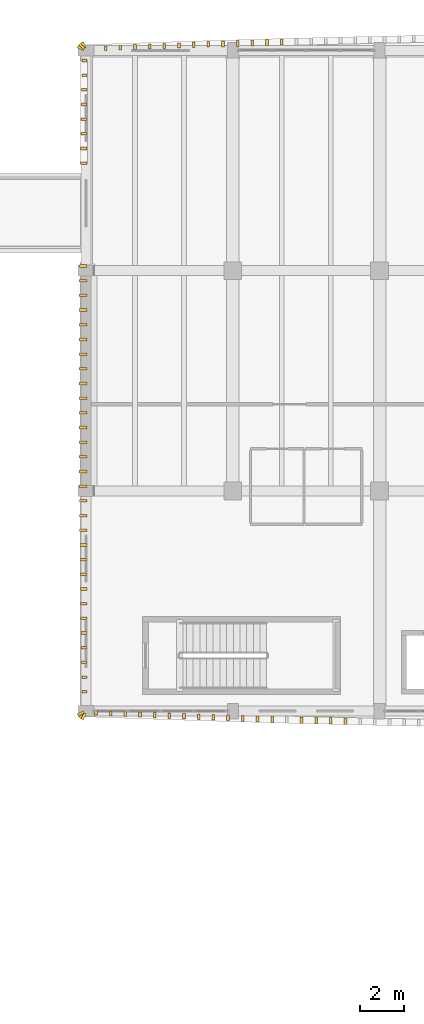
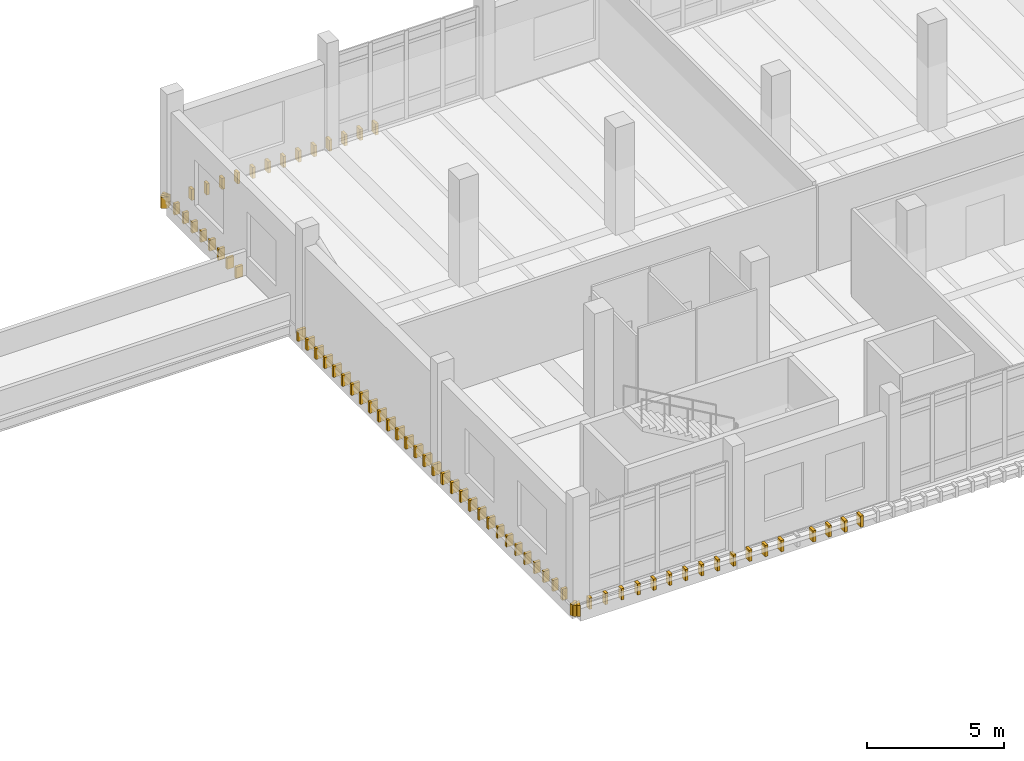
# One storey, part 98 of 101: 74 coverings.
"""IFC4 building model written with IfcOpenShell, lengths in metres."""

from ifc_helpers import new_model, si_unit, direction, frame, origin, origin_2d, place, context, subcontext, project, spatial, rectangle, extrude, material, layer, layer_set, type_object, element, save


model = new_model("IFC4")

# Units and contexts
model_context = context("Model", 3, precision=1e-05, world=origin(), true_north=direction((0.0, 1.0)))
body_context = subcontext(model_context, "Body", "Model", "MODEL_VIEW")
ifc_project = project(units=[si_unit("LENGTHUNIT", "METRE"), si_unit("AREAUNIT", "SQUARE_METRE"), si_unit("VOLUMEUNIT", "CUBIC_METRE"), si_unit("PLANEANGLEUNIT", "RADIAN"), si_unit("MASSUNIT", "GRAM", prefix="KILO")], contexts=[model_context])

# Site, building, storey
site_placement = place(None, origin())
site = spatial("IfcSite", under=ifc_project, at=site_placement, CompositionType="ELEMENT")
building_placement = place(site_placement, origin())
building = spatial("IfcBuilding", under=site, at=building_placement, Name="Dornvale Research Institute", CompositionType="ELEMENT")
storey_placement = place(building_placement, frame((0.0, 0.0, 10.199951171875)))
storey = spatial("IfcBuildingStorey", under=building, at=storey_placement, Name="L02", CompositionType="ELEMENT", Elevation=10.199951171875)

# Coverings
ifc_material = material(Name="Polychrome Glazed Terracotta Visor Rib Ceramic", Category="masonry")
ifc_layer = layer(ifc_material, 0.1201171875)
ifc_layer_set = layer_set([ifc_layer], Name="Polychrome Glazed Terracotta Visor Rib Ceramic")
covering_type = type_object("IfcCoveringType", Name="Covering_VisorBlade_Low", PredefinedType="CLADDING", material=ifc_layer_set)
covering_1_placement = place(storey_placement, frame((119.249755859375, 92.3212890625, -0.489990234375), z_axis=(0.0, 0.0, 1.0), x_axis=(0.0, 1.0, 0.0)))
element("IfcCovering", 1, at=covering_1_placement, inside=storey, type_object=covering_type, Name="L02 V4 canted glazed terracotta visor blade #1990", PredefinedType="CLADDING", context=body_context, shape_type="SweptSolid", body=[
    extrude(rectangle(XDim=0.205078125, YDim=0.1201171875, at=origin_2d()), origin(), (0.0, 0.0, 1.0), 0.5),
])
covering_2_placement = place(storey_placement, frame((119.9091796875, 92.294189453125, -0.489990234375), z_axis=(0.0, 0.0, 1.0), x_axis=(0.0, 1.0, 0.0)))
element("IfcCovering", 2, at=covering_2_placement, inside=storey, type_object=covering_type, Name="L02 V4 canted glazed terracotta visor blade #1991", PredefinedType="CLADDING", context=body_context, shape_type="SweptSolid", body=[
    extrude(rectangle(XDim=0.2119140625, YDim=0.1201171875, at=origin_2d()), origin(), (0.0, 0.0, 1.0), 0.5),
])
covering_3_placement = place(storey_placement, frame((120.56884765625, 92.267578125, -0.489990234375), z_axis=(0.0, 0.0, 1.0), x_axis=(0.0, 1.0, 0.0)))
element("IfcCovering", 3, at=covering_3_placement, inside=storey, type_object=covering_type, Name="L02 V4 canted glazed terracotta visor blade #1992", PredefinedType="CLADDING", context=body_context, shape_type="SweptSolid", body=[
    extrude(rectangle(XDim=0.218017578125, YDim=0.1201171875, at=origin_2d()), origin(), (0.0, 0.0, 1.0), 0.5),
])
covering_4_placement = place(storey_placement, frame((121.228515625, 92.24169921875, -0.489990234375), z_axis=(0.0, 0.0, 1.0), x_axis=(0.0, 1.0, 0.0)))
element("IfcCovering", 4, at=covering_4_placement, inside=storey, type_object=covering_type, Name="L02 V4 canted glazed terracotta visor blade #1993", PredefinedType="CLADDING", context=body_context, shape_type="SweptSolid", body=[
    extrude(rectangle(XDim=0.22509765625, YDim=0.1201171875, at=origin_2d()), origin(), (0.0, 0.0, 1.0), 0.5),
])
covering_5_placement = place(storey_placement, frame((121.88818359375, 92.2158203125, -0.489990234375), z_axis=(0.0, 0.0, 1.0), x_axis=(0.0, 1.0, 0.0)))
element("IfcCovering", 5, at=covering_5_placement, inside=storey, type_object=covering_type, Name="L02 V4 canted glazed terracotta visor blade #1994", PredefinedType="CLADDING", context=body_context, shape_type="SweptSolid", body=[
    extrude(rectangle(XDim=0.23193359375, YDim=0.1201171875, at=origin_2d()), origin(), (0.0, 0.0, 1.0), 0.5),
])
covering_6_placement = place(storey_placement, frame((122.5478515625, 92.19140625, -0.489990234375), z_axis=(0.0, 0.0, 1.0), x_axis=(0.0, 1.0, 0.0)))
element("IfcCovering", 6, at=covering_6_placement, inside=storey, type_object=covering_type, Name="L02 V4 canted glazed terracotta visor blade #1995", PredefinedType="CLADDING", context=body_context, shape_type="SweptSolid", body=[
    extrude(rectangle(XDim=0.238037109375, YDim=0.1201171875, at=origin_2d()), origin(), (0.0, 0.0, 1.0), 0.5),
])
covering_7_placement = place(storey_placement, frame((123.20751953125, 92.167236328125, -0.489990234375), z_axis=(0.0, 0.0, 1.0), x_axis=(0.0, 1.0, 0.0)))
element("IfcCovering", 7, at=covering_7_placement, inside=storey, type_object=covering_type, Name="L02 V4 canted glazed terracotta visor blade #1996", PredefinedType="CLADDING", context=body_context, shape_type="SweptSolid", body=[
    extrude(rectangle(XDim=0.243896484375, YDim=0.1201171875, at=origin_2d()), origin(), (0.0, 0.0, 1.0), 0.5),
])
covering_8_placement = place(storey_placement, frame((123.8671875, 92.143310546875, -0.489990234375), z_axis=(0.0, 0.0, 1.0), x_axis=(0.0, 1.0, 0.0)))
element("IfcCovering", 8, at=covering_8_placement, inside=storey, type_object=covering_type, Name="L02 V4 canted glazed terracotta visor blade #1997", PredefinedType="CLADDING", context=body_context, shape_type="SweptSolid", body=[
    extrude(rectangle(XDim=0.25, YDim=0.1201171875, at=origin_2d()), origin(), (0.0, 0.0, 1.0), 0.5),
])
covering_9_placement = place(storey_placement, frame((124.52685546875, 92.12060546875, -0.489990234375), z_axis=(0.0, 0.0, 1.0), x_axis=(0.0, 1.0, 0.0)))
element("IfcCovering", 9, at=covering_9_placement, inside=storey, type_object=covering_type, Name="L02 V4 canted glazed terracotta visor blade #1998", PredefinedType="CLADDING", context=body_context, shape_type="SweptSolid", body=[
    extrude(rectangle(XDim=0.256103515625, YDim=0.1201171875, at=origin_2d()), origin(), (0.0, 0.0, 1.0), 0.5),
])
covering_10_placement = place(storey_placement, frame((125.1865234375, 92.0986328125, -0.489990234375), z_axis=(0.0, 0.0, 1.0), x_axis=(0.0, 1.0, 0.0)))
element("IfcCovering", 10, at=covering_10_placement, inside=storey, type_object=covering_type, Name="L02 V4 canted glazed terracotta visor blade #1999", PredefinedType="CLADDING", context=body_context, shape_type="SweptSolid", body=[
    extrude(rectangle(XDim=0.260986328125, YDim=0.1201171875, at=origin_2d()), origin(), (0.0, 0.0, 1.0), 0.5),
])
covering_11_placement = place(storey_placement, frame((125.84619140625, 92.076904296875, -0.489990234375), z_axis=(0.0, 0.0, 1.0), x_axis=(0.0, 1.0, 0.0)))
element("IfcCovering", 11, at=covering_11_placement, inside=storey, type_object=covering_type, Name="L02 V4 canted glazed terracotta visor blade #2000", PredefinedType="CLADDING", context=body_context, shape_type="SweptSolid", body=[
    extrude(rectangle(XDim=0.26708984375, YDim=0.1201171875, at=origin_2d()), origin(), (0.0, 0.0, 1.0), 0.5),
])
covering_12_placement = place(storey_placement, frame((126.506103515625, 92.055908203125, -0.489990234375), z_axis=(0.0, 0.0, 1.0), x_axis=(0.0, 1.0, 0.0)))
element("IfcCovering", 12, at=covering_12_placement, inside=storey, type_object=covering_type, Name="L02 V4 canted glazed terracotta visor blade #2001", PredefinedType="CLADDING", context=body_context, shape_type="SweptSolid", body=[
    extrude(rectangle(XDim=0.27197265625, YDim=0.1201171875, at=origin_2d()), origin(), (0.0, 0.0, 1.0), 0.5),
])
covering_13_placement = place(storey_placement, frame((127.165771484375, 92.035400390625, -0.489990234375), z_axis=(0.0, 0.0, 1.0), x_axis=(0.0, 1.0, 0.0)))
element("IfcCovering", 13, at=covering_13_placement, inside=storey, type_object=covering_type, Name="L02 V4 canted glazed terracotta visor blade #2002", PredefinedType="CLADDING", context=body_context, shape_type="SweptSolid", body=[
    extrude(rectangle(XDim=0.277099609375, YDim=0.1201171875, at=origin_2d()), origin(), (0.0, 0.0, 1.0), 0.5),
])
covering_14_placement = place(storey_placement, frame((128.4853515625, 91.996337890625, -0.489990234375), z_axis=(0.0, 0.0, 1.0), x_axis=(0.0, 1.0, 0.0)))
element("IfcCovering", 14, at=covering_14_placement, inside=storey, type_object=covering_type, Name="L02 V4 canted glazed terracotta visor blade #2004", PredefinedType="CLADDING", context=body_context, shape_type="SweptSolid", body=[
    extrude(rectangle(XDim=0.287109375, YDim=0.1201171875, at=origin_2d()), origin(), (0.0, 0.0, 1.0), 0.5),
])
covering_15_placement = place(storey_placement, frame((129.14501953125, 91.977783203125, -0.489990234375), z_axis=(0.0, 0.0, 1.0), x_axis=(0.0, 1.0, 0.0)))
element("IfcCovering", 15, at=covering_15_placement, inside=storey, type_object=covering_type, Name="L02 V4 canted glazed terracotta visor blade #2005", PredefinedType="CLADDING", context=body_context, shape_type="SweptSolid", body=[
    extrude(rectangle(XDim=0.2919921875, YDim=0.1201171875, at=origin_2d()), origin(), (0.0, 0.0, 1.0), 0.5),
])
covering_16_placement = place(storey_placement, frame((129.804931640625, 91.959716796875, -0.489990234375), z_axis=(0.0, 0.0, 1.0), x_axis=(0.0, 1.0, 0.0)))
element("IfcCovering", 16, at=covering_16_placement, inside=storey, type_object=covering_type, Name="L02 V4 canted glazed terracotta visor blade #2006", PredefinedType="CLADDING", context=body_context, shape_type="SweptSolid", body=[
    extrude(rectangle(XDim=0.297119140625, YDim=0.1201171875, at=origin_2d()), origin(), (0.0, 0.0, 1.0), 0.5),
])
covering_17_placement = place(storey_placement, frame((130.464599609375, 91.9423828125, -0.489990234375), z_axis=(0.0, 0.0, 1.0), x_axis=(0.0, 1.0, 0.0)))
element("IfcCovering", 17, at=covering_17_placement, inside=storey, type_object=covering_type, Name="L02 V4 canted glazed terracotta visor blade #2007", PredefinedType="CLADDING", context=body_context, shape_type="SweptSolid", body=[
    extrude(rectangle(XDim=0.301025390625, YDim=0.1201171875, at=origin_2d()), origin(), (0.0, 0.0, 1.0), 0.5),
])
covering_18_placement = place(storey_placement, frame((127.59912109375, 122.477783203125, -0.489990234375), z_axis=(0.0, 0.0, 1.0), x_axis=(0.0, 1.0, 0.0)))
element("IfcCovering", 18, at=covering_18_placement, inside=storey, type_object=covering_type, Name="L02 V4 canted glazed terracotta visor blade #2148", PredefinedType="CLADDING", context=body_context, shape_type="SweptSolid", body=[
    extrude(rectangle(XDim=0.281005859375, YDim=0.1201171875, at=origin_2d()), origin(), (0.0, 0.0, 1.0), 0.5),
])
covering_19_placement = place(storey_placement, frame((126.939453125, 122.4580078125, -0.489990234375), z_axis=(0.0, 0.0, 1.0), x_axis=(0.0, 1.0, 0.0)))
element("IfcCovering", 19, at=covering_19_placement, inside=storey, type_object=covering_type, Name="L02 V4 canted glazed terracotta visor blade #2149", PredefinedType="CLADDING", context=body_context, shape_type="SweptSolid", body=[
    extrude(rectangle(XDim=0.27587890625, YDim=0.1201171875, at=origin_2d()), origin(), (0.0, 0.0, 1.0), 0.5),
])
covering_20_placement = place(storey_placement, frame((126.279541015625, 122.436767578125, -0.489990234375), z_axis=(0.0, 0.0, 1.0), x_axis=(0.0, 1.0, 0.0)))
element("IfcCovering", 20, at=covering_20_placement, inside=storey, type_object=covering_type, Name="L02 V4 canted glazed terracotta visor blade #2150", PredefinedType="CLADDING", context=body_context, shape_type="SweptSolid", body=[
    extrude(rectangle(XDim=0.27001953125, YDim=0.1201171875, at=origin_2d()), origin(), (0.0, 0.0, 1.0), 0.5),
])
covering_21_placement = place(storey_placement, frame((125.619873046875, 122.416015625, -0.489990234375), z_axis=(0.0, 0.0, 1.0), x_axis=(0.0, 1.0, 0.0)))
element("IfcCovering", 21, at=covering_21_placement, inside=storey, type_object=covering_type, Name="L02 V4 canted glazed terracotta visor blade #2151", PredefinedType="CLADDING", context=body_context, shape_type="SweptSolid", body=[
    extrude(rectangle(XDim=0.264892578125, YDim=0.1201171875, at=origin_2d()), origin(), (0.0, 0.0, 1.0), 0.5),
])
covering_22_placement = place(storey_placement, frame((124.960205078125, 122.394287109375, -0.489990234375), z_axis=(0.0, 0.0, 1.0), x_axis=(0.0, 1.0, 0.0)))
element("IfcCovering", 22, at=covering_22_placement, inside=storey, type_object=covering_type, Name="L02 V4 canted glazed terracotta visor blade #2152", PredefinedType="CLADDING", context=body_context, shape_type="SweptSolid", body=[
    extrude(rectangle(XDim=0.260009765625, YDim=0.1201171875, at=origin_2d()), origin(), (0.0, 0.0, 1.0), 0.5),
])
covering_23_placement = place(storey_placement, frame((124.300537109375, 122.37158203125, -0.489990234375), z_axis=(0.0, 0.0, 1.0), x_axis=(0.0, 1.0, 0.0)))
element("IfcCovering", 23, at=covering_23_placement, inside=storey, type_object=covering_type, Name="L02 V4 canted glazed terracotta visor blade #2153", PredefinedType="CLADDING", context=body_context, shape_type="SweptSolid", body=[
    extrude(rectangle(XDim=0.25390625, YDim=0.1201171875, at=origin_2d()), origin(), (0.0, 0.0, 1.0), 0.5),
])
covering_24_placement = place(storey_placement, frame((123.640869140625, 122.3486328125, -0.489990234375), z_axis=(0.0, 0.0, 1.0), x_axis=(0.0, 1.0, 0.0)))
element("IfcCovering", 24, at=covering_24_placement, inside=storey, type_object=covering_type, Name="L02 V4 canted glazed terracotta visor blade #2154", PredefinedType="CLADDING", context=body_context, shape_type="SweptSolid", body=[
    extrude(rectangle(XDim=0.248046875, YDim=0.1201171875, at=origin_2d()), origin(), (0.0, 0.0, 1.0), 0.5),
])
covering_25_placement = place(storey_placement, frame((122.981201171875, 122.324462890625, -0.489990234375), z_axis=(0.0, 0.0, 1.0), x_axis=(0.0, 1.0, 0.0)))
element("IfcCovering", 25, at=covering_25_placement, inside=storey, type_object=covering_type, Name="L02 V4 canted glazed terracotta visor blade #2155", PredefinedType="CLADDING", context=body_context, shape_type="SweptSolid", body=[
    extrude(rectangle(XDim=0.241943359375, YDim=0.1201171875, at=origin_2d()), origin(), (0.0, 0.0, 1.0), 0.5),
])
covering_26_placement = place(storey_placement, frame((122.3212890625, 122.300537109375, -0.489990234375), z_axis=(0.0, 0.0, 1.0), x_axis=(0.0, 1.0, 0.0)))
element("IfcCovering", 26, at=covering_26_placement, inside=storey, type_object=covering_type, Name="L02 V4 canted glazed terracotta visor blade #2156", PredefinedType="CLADDING", context=body_context, shape_type="SweptSolid", body=[
    extrude(rectangle(XDim=0.236083984375, YDim=0.1201171875, at=origin_2d()), origin(), (0.0, 0.0, 1.0), 0.5),
])
covering_27_placement = place(storey_placement, frame((121.661865234375, 122.27490234375, -0.489990234375), z_axis=(0.0, 0.0, 1.0), x_axis=(0.0, 1.0, 0.0)))
element("IfcCovering", 27, at=covering_27_placement, inside=storey, type_object=covering_type, Name="L02 V4 canted glazed terracotta visor blade #2157", PredefinedType="CLADDING", context=body_context, shape_type="SweptSolid", body=[
    extrude(rectangle(XDim=0.22900390625, YDim=0.1201171875, at=origin_2d()), origin(), (0.0, 0.0, 1.0), 0.5),
])
covering_28_placement = place(storey_placement, frame((121.002197265625, 122.24951171875, -0.489990234375), z_axis=(0.0, 0.0, 1.0), x_axis=(0.0, 1.0, 0.0)))
element("IfcCovering", 28, at=covering_28_placement, inside=storey, type_object=covering_type, Name="L02 V4 canted glazed terracotta visor blade #2158", PredefinedType="CLADDING", context=body_context, shape_type="SweptSolid", body=[
    extrude(rectangle(XDim=0.222900390625, YDim=0.1201171875, at=origin_2d()), origin(), (0.0, 0.0, 1.0), 0.5),
])
covering_29_placement = place(storey_placement, frame((120.342529296875, 122.223388671875, -0.489990234375), z_axis=(0.0, 0.0, 1.0), x_axis=(0.0, 1.0, 0.0)))
element("IfcCovering", 29, at=covering_29_placement, inside=storey, type_object=covering_type, Name="L02 V4 canted glazed terracotta visor blade #2159", PredefinedType="CLADDING", context=body_context, shape_type="SweptSolid", body=[
    extrude(rectangle(XDim=0.216064453125, YDim=0.1201171875, at=origin_2d()), origin(), (0.0, 0.0, 1.0), 0.5),
])
covering_30_placement = place(storey_placement, frame((119.68310546875, 122.1962890625, -0.489990234375), z_axis=(0.0, 0.0, 1.0), x_axis=(0.0, 1.0, 0.0)))
element("IfcCovering", 30, at=covering_30_placement, inside=storey, type_object=covering_type, Name="L02 V4 canted glazed terracotta visor blade #2160", PredefinedType="CLADDING", context=body_context, shape_type="SweptSolid", body=[
    extrude(rectangle(XDim=0.208984375, YDim=0.1201171875, at=origin_2d()), origin(), (0.0, 0.0, 1.0), 0.5),
])
covering_31_placement = place(storey_placement, frame((118.735107421875, 121.64990234375, -0.489990234375), z_axis=(0.0, 0.0, 1.0), x_axis=(1.0, 0.0, 0.0)))
element("IfcCovering", 31, at=covering_31_placement, inside=storey, type_object=covering_type, Name="L02 V4 canted glazed terracotta visor blade #2205", PredefinedType="CLADDING", context=body_context, shape_type="SweptSolid", body=[
    extrude(rectangle(XDim=0.2099609375, YDim=0.1201171875, at=origin_2d()), origin(), (0.0, 0.0, 1.0), 0.5),
])
covering_32_placement = place(storey_placement, frame((118.728515625, 120.989990234375, -0.489990234375), z_axis=(0.0, 0.0, 1.0), x_axis=(1.0, 0.0, 0.0)))
element("IfcCovering", 32, at=covering_32_placement, inside=storey, type_object=covering_type, Name="L02 V4 canted glazed terracotta visor blade #2206", PredefinedType="CLADDING", context=body_context, shape_type="SweptSolid", body=[
    extrude(rectangle(XDim=0.222900390625, YDim=0.1201171875, at=origin_2d()), origin(), (0.0, 0.0, 1.0), 0.5),
])
covering_33_placement = place(storey_placement, frame((118.721923828125, 120.330078125, -0.489990234375), z_axis=(0.0, 0.0, 1.0), x_axis=(1.0, 0.0, 0.0)))
element("IfcCovering", 33, at=covering_33_placement, inside=storey, type_object=covering_type, Name="L02 V4 canted glazed terracotta visor blade #2207", PredefinedType="CLADDING", context=body_context, shape_type="SweptSolid", body=[
    extrude(rectangle(XDim=0.236083984375, YDim=0.1201171875, at=origin_2d()), origin(), (0.0, 0.0, 1.0), 0.5),
])
covering_34_placement = place(storey_placement, frame((118.716064453125, 119.669921875, -0.489990234375), z_axis=(0.0, 0.0, 1.0), x_axis=(1.0, 0.0, 0.0)))
element("IfcCovering", 34, at=covering_34_placement, inside=storey, type_object=covering_type, Name="L02 V4 canted glazed terracotta visor blade #2208", PredefinedType="CLADDING", context=body_context, shape_type="SweptSolid", body=[
    extrude(rectangle(XDim=0.248046875, YDim=0.1201171875, at=origin_2d()), origin(), (0.0, 0.0, 1.0), 0.5),
])
covering_35_placement = place(storey_placement, frame((118.7099609375, 119.010009765625, -0.489990234375), z_axis=(0.0, 0.0, 1.0), x_axis=(1.0, 0.0, 0.0)))
element("IfcCovering", 35, at=covering_35_placement, inside=storey, type_object=covering_type, Name="L02 V4 canted glazed terracotta visor blade #2209", PredefinedType="CLADDING", context=body_context, shape_type="SweptSolid", body=[
    extrude(rectangle(XDim=0.260009765625, YDim=0.1201171875, at=origin_2d()), origin(), (0.0, 0.0, 1.0), 0.5),
])
covering_36_placement = place(storey_placement, frame((118.70458984375, 118.35009765625, -0.489990234375), z_axis=(0.0, 0.0, 1.0), x_axis=(1.0, 0.0, 0.0)))
element("IfcCovering", 36, at=covering_36_placement, inside=storey, type_object=covering_type, Name="L02 V4 canted glazed terracotta visor blade #2210", PredefinedType="CLADDING", context=body_context, shape_type="SweptSolid", body=[
    extrude(rectangle(XDim=0.27099609375, YDim=0.1201171875, at=origin_2d()), origin(), (0.0, 0.0, 1.0), 0.5),
])
covering_37_placement = place(storey_placement, frame((118.699462890625, 117.68994140625, -0.489990234375), z_axis=(0.0, 0.0, 1.0), x_axis=(1.0, 0.0, 0.0)))
element("IfcCovering", 37, at=covering_37_placement, inside=storey, type_object=covering_type, Name="L02 V4 canted glazed terracotta visor blade #2211", PredefinedType="CLADDING", context=body_context, shape_type="SweptSolid", body=[
    extrude(rectangle(XDim=0.281005859375, YDim=0.1201171875, at=origin_2d()), origin(), (0.0, 0.0, 1.0), 0.5),
])
covering_38_placement = place(storey_placement, frame((118.694580078125, 117.030029296875, -0.489990234375), z_axis=(0.0, 0.0, 1.0), x_axis=(1.0, 0.0, 0.0)))
element("IfcCovering", 38, at=covering_38_placement, inside=storey, type_object=covering_type, Name="L02 V4 canted glazed terracotta visor blade #2212", PredefinedType="CLADDING", context=body_context, shape_type="SweptSolid", body=[
    extrude(rectangle(XDim=0.291015625, YDim=0.1201171875, at=origin_2d()), origin(), (0.0, 0.0, 1.0), 0.5),
])
covering_39_placement = place(storey_placement, frame((118.66943359375, 112.409912109375, -0.489990234375), z_axis=(0.0, 0.0, 1.0), x_axis=(1.0, 0.0, 0.0)))
element("IfcCovering", 39, at=covering_39_placement, inside=storey, type_object=covering_type, Name="L02 V4 canted glazed terracotta visor blade #2213", PredefinedType="CLADDING", context=body_context, shape_type="SweptSolid", body=[
    extrude(rectangle(XDim=0.341064453125, YDim=0.1201171875, at=origin_2d()), origin(), (0.0, 0.0, 1.0), 0.5),
])
covering_40_placement = place(storey_placement, frame((118.66748046875, 111.75, -0.489990234375), z_axis=(0.0, 0.0, 1.0), x_axis=(1.0, 0.0, 0.0)))
element("IfcCovering", 40, at=covering_40_placement, inside=storey, type_object=covering_type, Name="L02 V4 canted glazed terracotta visor blade #2214", PredefinedType="CLADDING", context=body_context, shape_type="SweptSolid", body=[
    extrude(rectangle(XDim=0.344970703125, YDim=0.1201171875, at=origin_2d()), origin(), (0.0, 0.0, 1.0), 0.5),
])
covering_41_placement = place(storey_placement, frame((118.66552734375, 111.090087890625, -0.489990234375), z_axis=(0.0, 0.0, 1.0), x_axis=(1.0, 0.0, 0.0)))
element("IfcCovering", 41, at=covering_41_placement, inside=storey, type_object=covering_type, Name="L02 V4 canted glazed terracotta visor blade #2215", PredefinedType="CLADDING", context=body_context, shape_type="SweptSolid", body=[
    extrude(rectangle(XDim=0.34912109375, YDim=0.1201171875, at=origin_2d()), origin(), (0.0, 0.0, 1.0), 0.5),
])
covering_42_placement = place(storey_placement, frame((118.66357421875, 110.429931640625, -0.489990234375), z_axis=(0.0, 0.0, 1.0), x_axis=(1.0, 0.0, 0.0)))
element("IfcCovering", 42, at=covering_42_placement, inside=storey, type_object=covering_type, Name="L02 V4 canted glazed terracotta visor blade #2216", PredefinedType="CLADDING", context=body_context, shape_type="SweptSolid", body=[
    extrude(rectangle(XDim=0.35302734375, YDim=0.1201171875, at=origin_2d()), origin(), (0.0, 0.0, 1.0), 0.5),
])
covering_43_placement = place(storey_placement, frame((118.66259765625, 109.77001953125, -0.489990234375), z_axis=(0.0, 0.0, 1.0), x_axis=(1.0, 0.0, 0.0)))
element("IfcCovering", 43, at=covering_43_placement, inside=storey, type_object=covering_type, Name="L02 V4 canted glazed terracotta visor blade #2217", PredefinedType="CLADDING", context=body_context, shape_type="SweptSolid", body=[
    extrude(rectangle(XDim=0.35498046875, YDim=0.1201171875, at=origin_2d()), origin(), (0.0, 0.0, 1.0), 0.5),
])
covering_44_placement = place(storey_placement, frame((118.66162109375, 109.110107421875, -0.489990234375), z_axis=(0.0, 0.0, 1.0), x_axis=(1.0, 0.0, 0.0)))
element("IfcCovering", 44, at=covering_44_placement, inside=storey, type_object=covering_type, Name="L02 V4 canted glazed terracotta visor blade #2218", PredefinedType="CLADDING", context=body_context, shape_type="SweptSolid", body=[
    extrude(rectangle(XDim=0.35693359375, YDim=0.1201171875, at=origin_2d()), origin(), (0.0, 0.0, 1.0), 0.5),
])
covering_45_placement = place(storey_placement, frame((118.660400390625, 108.449951171875, -0.489990234375), z_axis=(0.0, 0.0, 1.0), x_axis=(1.0, 0.0, 0.0)))
element("IfcCovering", 45, at=covering_45_placement, inside=storey, type_object=covering_type, Name="L02 V4 canted glazed terracotta visor blade #2219", PredefinedType="CLADDING", context=body_context, shape_type="SweptSolid", body=[
    extrude(rectangle(XDim=0.35888671875, YDim=0.1201171875, at=origin_2d()), origin(), (0.0, 0.0, 1.0), 0.5),
])
for number, where, z_axis, x_axis, name in (
    (46, (118.659912109375, 107.7900390625, -0.489990234375), (0.0, 0.0, 1.0), (1.0, 0.0, 0.0), "L02 V4 canted glazed terracotta visor blade #2220"),
    (47, (118.659912109375, 107.1298828125, -0.489990234375), (0.0, 0.0, 1.0), (1.0, 0.0, 0.0), "L02 V4 canted glazed terracotta visor blade #2221"),
    (48, (118.659912109375, 106.469970703125, -0.489990234375), (0.0, 0.0, 1.0), (1.0, 0.0, 0.0), "L02 V4 canted glazed terracotta visor blade #2222"),
):
    element("IfcCovering", number, at=place(storey_placement, frame(where, z_axis=z_axis, x_axis=x_axis)), inside=storey, type_object=covering_type, Name=name, PredefinedType="CLADDING", context=body_context, shape_type="SweptSolid", body=[
        extrude(rectangle(XDim=0.360107421875, YDim=0.1201171875, at=origin_2d()), origin(), (0.0, 0.0, 1.0), 0.5),
    ])
covering_46_placement = place(storey_placement, frame((118.660888671875, 105.81005859375, -0.489990234375), z_axis=(0.0, 0.0, 1.0), x_axis=(1.0, 0.0, 0.0)))
element("IfcCovering", 49, at=covering_46_placement, inside=storey, type_object=covering_type, Name="L02 V4 canted glazed terracotta visor blade #2223", PredefinedType="CLADDING", context=body_context, shape_type="SweptSolid", body=[
    extrude(rectangle(XDim=0.35791015625, YDim=0.1201171875, at=origin_2d()), origin(), (0.0, 0.0, 1.0), 0.5),
])
covering_47_placement = place(storey_placement, frame((118.66162109375, 105.14990234375, -0.489990234375), z_axis=(0.0, 0.0, 1.0), x_axis=(1.0, 0.0, 0.0)))
element("IfcCovering", 50, at=covering_47_placement, inside=storey, type_object=covering_type, Name="L02 V4 canted glazed terracotta visor blade #2224", PredefinedType="CLADDING", context=body_context, shape_type="SweptSolid", body=[
    extrude(rectangle(XDim=0.35693359375, YDim=0.1201171875, at=origin_2d()), origin(), (0.0, 0.0, 1.0), 0.5),
])
covering_48_placement = place(storey_placement, frame((118.6630859375, 104.489990234375, -0.489990234375), z_axis=(0.0, 0.0, 1.0), x_axis=(1.0, 0.0, 0.0)))
element("IfcCovering", 51, at=covering_48_placement, inside=storey, type_object=covering_type, Name="L02 V4 canted glazed terracotta visor blade #2225", PredefinedType="CLADDING", context=body_context, shape_type="SweptSolid", body=[
    extrude(rectangle(XDim=0.35400390625, YDim=0.1201171875, at=origin_2d()), origin(), (0.0, 0.0, 1.0), 0.5),
])
covering_49_placement = place(storey_placement, frame((118.6640625, 103.830078125, -0.489990234375), z_axis=(0.0, 0.0, 1.0), x_axis=(1.0, 0.0, 0.0)))
element("IfcCovering", 52, at=covering_49_placement, inside=storey, type_object=covering_type, Name="L02 V4 canted glazed terracotta visor blade #2226", PredefinedType="CLADDING", context=body_context, shape_type="SweptSolid", body=[
    extrude(rectangle(XDim=0.35205078125, YDim=0.1201171875, at=origin_2d()), origin(), (0.0, 0.0, 1.0), 0.5),
])
covering_50_placement = place(storey_placement, frame((118.666015625, 103.169921875, -0.489990234375), z_axis=(0.0, 0.0, 1.0), x_axis=(1.0, 0.0, 0.0)))
element("IfcCovering", 53, at=covering_50_placement, inside=storey, type_object=covering_type, Name="L02 V4 canted glazed terracotta visor blade #2227", PredefinedType="CLADDING", context=body_context, shape_type="SweptSolid", body=[
    extrude(rectangle(XDim=0.347900390625, YDim=0.1201171875, at=origin_2d()), origin(), (0.0, 0.0, 1.0), 0.5),
])
covering_51_placement = place(storey_placement, frame((118.66796875, 102.510009765625, -0.489990234375), z_axis=(0.0, 0.0, 1.0), x_axis=(1.0, 0.0, 0.0)))
element("IfcCovering", 54, at=covering_51_placement, inside=storey, type_object=covering_type, Name="L02 V4 canted glazed terracotta visor blade #2228", PredefinedType="CLADDING", context=body_context, shape_type="SweptSolid", body=[
    extrude(rectangle(XDim=0.343994140625, YDim=0.1201171875, at=origin_2d()), origin(), (0.0, 0.0, 1.0), 0.5),
])
covering_52_placement = place(storey_placement, frame((118.67041015625, 101.85009765625, -0.489990234375), z_axis=(0.0, 0.0, 1.0), x_axis=(1.0, 0.0, 0.0)))
element("IfcCovering", 55, at=covering_52_placement, inside=storey, type_object=covering_type, Name="L02 V4 canted glazed terracotta visor blade #2229", PredefinedType="CLADDING", context=body_context, shape_type="SweptSolid", body=[
    extrude(rectangle(XDim=0.339111328125, YDim=0.1201171875, at=origin_2d()), origin(), (0.0, 0.0, 1.0), 0.5),
])
covering_53_placement = place(storey_placement, frame((118.673583984375, 101.18994140625, -0.489990234375), z_axis=(0.0, 0.0, 1.0), x_axis=(1.0, 0.0, 0.0)))
element("IfcCovering", 56, at=covering_53_placement, inside=storey, type_object=covering_type, Name="L02 V4 canted glazed terracotta visor blade #2230", PredefinedType="CLADDING", context=body_context, shape_type="SweptSolid", body=[
    extrude(rectangle(XDim=0.3330078125, YDim=0.1201171875, at=origin_2d()), origin(), (0.0, 0.0, 1.0), 0.5),
])
covering_54_placement = place(storey_placement, frame((118.676513671875, 100.530029296875, -0.489990234375), z_axis=(0.0, 0.0, 1.0), x_axis=(1.0, 0.0, 0.0)))
element("IfcCovering", 57, at=covering_54_placement, inside=storey, type_object=covering_type, Name="L02 V4 canted glazed terracotta visor blade #2231", PredefinedType="CLADDING", context=body_context, shape_type="SweptSolid", body=[
    extrude(rectangle(XDim=0.326904296875, YDim=0.1201171875, at=origin_2d()), origin(), (0.0, 0.0, 1.0), 0.5),
])
covering_55_placement = place(storey_placement, frame((118.679931640625, 99.8701171875, -0.489990234375), z_axis=(0.0, 0.0, 1.0), x_axis=(1.0, 0.0, 0.0)))
element("IfcCovering", 58, at=covering_55_placement, inside=storey, type_object=covering_type, Name="L02 V4 canted glazed terracotta visor blade #2232", PredefinedType="CLADDING", context=body_context, shape_type="SweptSolid", body=[
    extrude(rectangle(XDim=0.320068359375, YDim=0.1201171875, at=origin_2d()), origin(), (0.0, 0.0, 1.0), 0.5),
])
covering_56_placement = place(storey_placement, frame((118.68359375, 99.2099609375, -0.489990234375), z_axis=(0.0, 0.0, 1.0), x_axis=(1.0, 0.0, 0.0)))
element("IfcCovering", 59, at=covering_56_placement, inside=storey, type_object=covering_type, Name="L02 V4 canted glazed terracotta visor blade #2233", PredefinedType="CLADDING", context=body_context, shape_type="SweptSolid", body=[
    extrude(rectangle(XDim=0.31298828125, YDim=0.1201171875, at=origin_2d()), origin(), (0.0, 0.0, 1.0), 0.5),
])
covering_57_placement = place(storey_placement, frame((118.6875, 98.550048828125, -0.489990234375), z_axis=(0.0, 0.0, 1.0), x_axis=(1.0, 0.0, 0.0)))
element("IfcCovering", 60, at=covering_57_placement, inside=storey, type_object=covering_type, Name="L02 V4 canted glazed terracotta visor blade #2234", PredefinedType="CLADDING", context=body_context, shape_type="SweptSolid", body=[
    extrude(rectangle(XDim=0.304931640625, YDim=0.1201171875, at=origin_2d()), origin(), (0.0, 0.0, 1.0), 0.5),
])
covering_58_placement = place(storey_placement, frame((118.69189453125, 97.889892578125, -0.489990234375), z_axis=(0.0, 0.0, 1.0), x_axis=(1.0, 0.0, 0.0)))
element("IfcCovering", 61, at=covering_58_placement, inside=storey, type_object=covering_type, Name="L02 V4 canted glazed terracotta visor blade #2235", PredefinedType="CLADDING", context=body_context, shape_type="SweptSolid", body=[
    extrude(rectangle(XDim=0.2958984375, YDim=0.1201171875, at=origin_2d()), origin(), (0.0, 0.0, 1.0), 0.5),
])
covering_59_placement = place(storey_placement, frame((118.696533203125, 97.22998046875, -0.489990234375), z_axis=(0.0, 0.0, 1.0), x_axis=(1.0, 0.0, 0.0)))
element("IfcCovering", 62, at=covering_59_placement, inside=storey, type_object=covering_type, Name="L02 V4 canted glazed terracotta visor blade #2236", PredefinedType="CLADDING", context=body_context, shape_type="SweptSolid", body=[
    extrude(rectangle(XDim=0.287109375, YDim=0.1201171875, at=origin_2d()), origin(), (0.0, 0.0, 1.0), 0.5),
])
covering_60_placement = place(storey_placement, frame((118.701416015625, 96.570068359375, -0.489990234375), z_axis=(0.0, 0.0, 1.0), x_axis=(1.0, 0.0, 0.0)))
element("IfcCovering", 63, at=covering_60_placement, inside=storey, type_object=covering_type, Name="L02 V4 canted glazed terracotta visor blade #2237", PredefinedType="CLADDING", context=body_context, shape_type="SweptSolid", body=[
    extrude(rectangle(XDim=0.277099609375, YDim=0.1201171875, at=origin_2d()), origin(), (0.0, 0.0, 1.0), 0.5),
])
covering_61_placement = place(storey_placement, frame((118.70654296875, 95.909912109375, -0.489990234375), z_axis=(0.0, 0.0, 1.0), x_axis=(1.0, 0.0, 0.0)))
element("IfcCovering", 64, at=covering_61_placement, inside=storey, type_object=covering_type, Name="L02 V4 canted glazed terracotta visor blade #2238", PredefinedType="CLADDING", context=body_context, shape_type="SweptSolid", body=[
    extrude(rectangle(XDim=0.26708984375, YDim=0.1201171875, at=origin_2d()), origin(), (0.0, 0.0, 1.0), 0.5),
])
covering_62_placement = place(storey_placement, frame((118.7119140625, 95.25, -0.489990234375), z_axis=(0.0, 0.0, 1.0), x_axis=(1.0, 0.0, 0.0)))
element("IfcCovering", 65, at=covering_62_placement, inside=storey, type_object=covering_type, Name="L02 V4 canted glazed terracotta visor blade #2239", PredefinedType="CLADDING", context=body_context, shape_type="SweptSolid", body=[
    extrude(rectangle(XDim=0.256103515625, YDim=0.1201171875, at=origin_2d()), origin(), (0.0, 0.0, 1.0), 0.5),
])
covering_63_placement = place(storey_placement, frame((118.718017578125, 94.590087890625, -0.489990234375), z_axis=(0.0, 0.0, 1.0), x_axis=(1.0, 0.0, 0.0)))
element("IfcCovering", 66, at=covering_63_placement, inside=storey, type_object=covering_type, Name="L02 V4 canted glazed terracotta visor blade #2240", PredefinedType="CLADDING", context=body_context, shape_type="SweptSolid", body=[
    extrude(rectangle(XDim=0.243896484375, YDim=0.1201171875, at=origin_2d()), origin(), (0.0, 0.0, 1.0), 0.5),
])
covering_64_placement = place(storey_placement, frame((118.724609375, 93.929931640625, -0.489990234375), z_axis=(0.0, 0.0, 1.0), x_axis=(1.0, 0.0, 0.0)))
element("IfcCovering", 67, at=covering_64_placement, inside=storey, type_object=covering_type, Name="L02 V4 canted glazed terracotta visor blade #2241", PredefinedType="CLADDING", context=body_context, shape_type="SweptSolid", body=[
    extrude(rectangle(XDim=0.23095703125, YDim=0.1201171875, at=origin_2d()), origin(), (0.0, 0.0, 1.0), 0.5),
])
covering_65_placement = place(storey_placement, frame((118.73095703125, 93.27001953125, -0.489990234375), z_axis=(0.0, 0.0, 1.0), x_axis=(1.0, 0.0, 0.0)))
element("IfcCovering", 68, at=covering_65_placement, inside=storey, type_object=covering_type, Name="L02 V4 canted glazed terracotta visor blade #2242", PredefinedType="CLADDING", context=body_context, shape_type="SweptSolid", body=[
    extrude(rectangle(XDim=0.218017578125, YDim=0.1201171875, at=origin_2d()), origin(), (0.0, 0.0, 1.0), 0.5),
])
for number, where, z_axis, x_axis, name in (
    (69, (118.564453125, 92.2900390625, -0.489990234375), (0.0, 0.0, 1.0), (-0.906307787037, -0.422618261741, 0.0), "L02 V4 corner-wrapping visor blade #2243"),
    (70, (118.6162109375, 92.21630859375, -0.489990234375), (0.0, 0.0, 1.0), (-0.707106781187, -0.707106781187, 0.0), "L02 V4 corner-wrapping visor blade #2244"),
    (71, (118.690185546875, 92.164306640625, -0.489990234375), (0.0, 0.0, 1.0), (-0.422618261741, -0.906307787037, 0.0), "L02 V4 corner-wrapping visor blade #2245"),
    (72, (118.690185546875, 122.335693359375, -0.489990234375), (0.0, 0.0, 1.0), (-0.422618261741, 0.906307787037, 0.0), "L02 V4 corner-wrapping visor blade #2252"),
    (73, (118.6162109375, 122.28369140625, -0.489990234375), (0.0, 0.0, 1.0), (-0.707106781187, 0.707106781187, 0.0), "L02 V4 corner-wrapping visor blade #2253"),
    (74, (118.564453125, 122.2099609375, -0.489990234375), (0.0, 0.0, 1.0), (-0.906307787037, 0.422618261741, 0.0), "L02 V4 corner-wrapping visor blade #2254"),
):
    element("IfcCovering", number, at=place(storey_placement, frame(where, z_axis=z_axis, x_axis=x_axis)), inside=storey, type_object=covering_type, Name=name, PredefinedType="CLADDING", context=body_context, shape_type="SweptSolid", body=[
        extrude(rectangle(XDim=0.300048828125, YDim=0.1201171875, at=origin_2d()), origin(), (0.0, 0.0, 1.0), 0.5),
    ])

save(model, "model.ifc")
